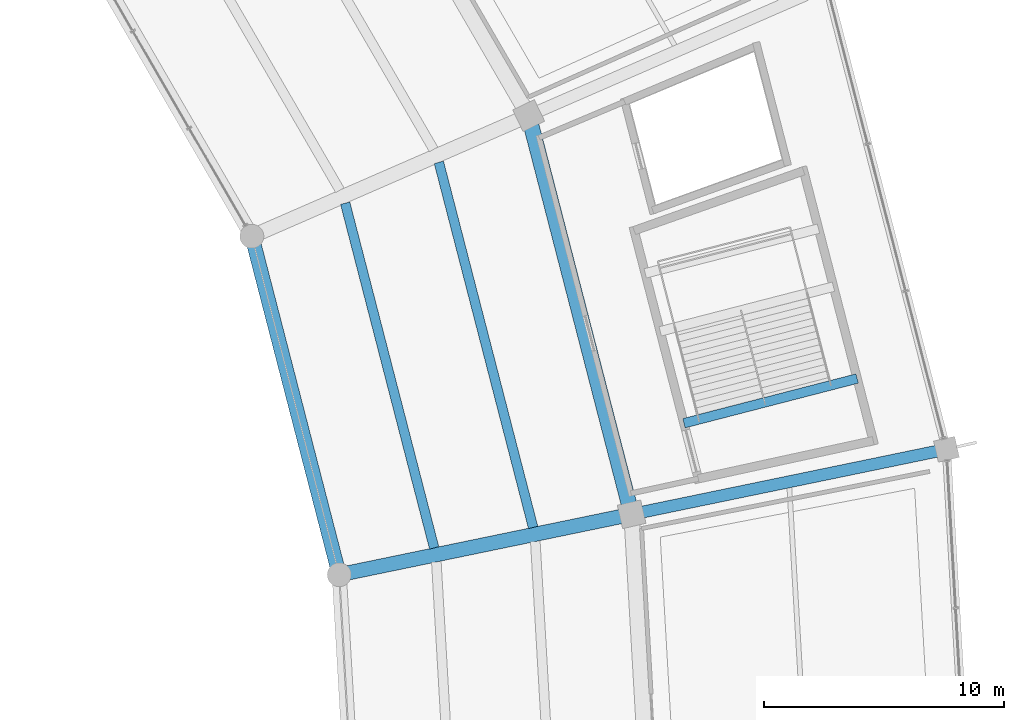
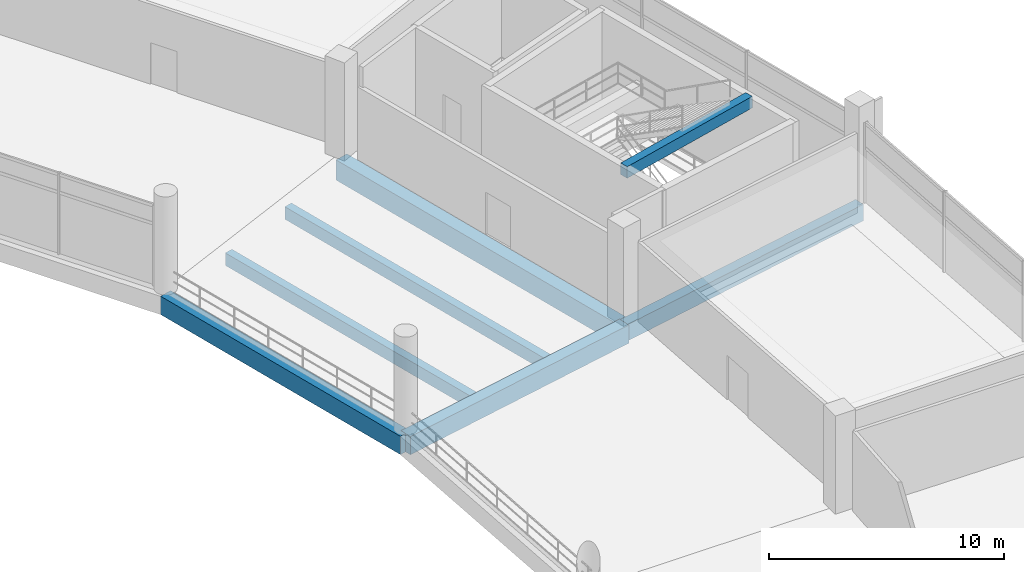
# One storey, part 81 of 184: 7 beams.
"""IFC4 building model written with IfcOpenShell, lengths in metres."""

import ifcopenshell
import ifcopenshell.guid

model = None  # the IFC model being written
_history = None  # IfcOwnerHistory: only IFC2X3 demands one
_inside = {}  # id of a spatial element -> (the spatial element, [elements in it])
_under = {}  # id of a project, library or spatial element -> (it, [spatial elements below it])
_declared = {}  # id of a project -> (the project, [libraries it declares])
_typed = {}  # id of a type object -> (the type object, [elements of that type])
_made_of = {}  # id of a material, layer set ... -> (it, [elements and type objects made of it])


def new_model(schema):
    """Start an empty IFC model of exactly this schema.

    Asked for "IFC4X3", IfcOpenShell would pick the latest addendum, in which some entities
    have other attributes; the version numbers below select the first issue.
    IFC2X3 requires an IfcOwnerHistory on every rooted entity: one is made here for all.
    """
    global model, _history
    if schema == "IFC4X3":
        model = ifcopenshell.file(schema_version=(4, 3, 0, 0))
    else:
        model = ifcopenshell.file(schema=schema)
    _inside.clear()
    _under.clear()
    _declared.clear()
    _typed.clear()
    _made_of.clear()
    _history = None
    if model.schema == "IFC2X3":
        org = make("IfcOrganization", Name="unknown")
        user = make(
            "IfcPersonAndOrganization",
            ThePerson=make("IfcPerson", FamilyName="unknown"),
            TheOrganization=org,
        )
        app = make(
            "IfcApplication",
            ApplicationDeveloper=org,
            Version="unknown",
            ApplicationFullName="unknown",
            ApplicationIdentifier="unknown",
        )
        _history = make(
            "IfcOwnerHistory",
            OwningUser=user,
            OwningApplication=app,
            ChangeAction="ADDED",
            CreationDate=0,
        )
    return model


def make(cls, **values):
    """One entity of the class cls with the attributes given. An attribute that is None is left unset."""
    return model.create_entity(
        cls, **{name: value for name, value in values.items() if value is not None}
    )


def rooted(cls, **values):
    """An entity with a GlobalId (a new one), such as an element, a storey or a relation."""
    return make(cls, GlobalId=ifcopenshell.guid.new(), OwnerHistory=_history, **values)


def si_unit(unit_type, name, prefix=None):
    """IfcSIUnit, for example si_unit("LENGTHUNIT", "METRE", prefix="MILLI")."""
    return make("IfcSIUnit", UnitType=unit_type, Prefix=prefix, Name=name)


def assignment(units):
    """IfcUnitAssignment: the units of a project."""
    return None if units is None else make("IfcUnitAssignment", Units=units)


def point(xyz):
    """IfcCartesianPoint."""
    return None if xyz is None else make("IfcCartesianPoint", Coordinates=xyz)


def direction(xyz):
    """IfcDirection."""
    return None if xyz is None else make("IfcDirection", DirectionRatios=xyz)


def frame(location, z_axis=None, x_axis=None):
    """IfcAxis2Placement3D, a coordinate frame: its origin and axes. An axis left out is left unset."""
    return make(
        "IfcAxis2Placement3D",
        Location=point(location),
        Axis=direction(z_axis),
        RefDirection=direction(x_axis),
    )


def frame_2d(location, x_axis=None):
    """IfcAxis2Placement2D, a coordinate frame in the plane: its origin and x axis."""
    return make(
        "IfcAxis2Placement2D", Location=point(location), RefDirection=direction(x_axis)
    )


def origin():
    """The frame at (0, 0, 0) with its axes left unset."""
    return frame((0.0, 0.0, 0.0))


def origin_2d():
    """The frame at (0, 0) in the plane with its x axis left unset."""
    return frame_2d((0.0, 0.0))


def place(relative_to, where):
    """IfcLocalPlacement: puts the frame where relative to a parent placement (None: the world)."""
    return make(
        "IfcLocalPlacement", PlacementRelTo=relative_to, RelativePlacement=where
    )


def context(
    kind, dimensions, precision=None, world=None, true_north=None, identifier=None
):
    """IfcGeometricRepresentationContext, for example the 3D "Model" context."""
    return make(
        "IfcGeometricRepresentationContext",
        ContextIdentifier=identifier,
        ContextType=kind,
        CoordinateSpaceDimension=dimensions,
        Precision=precision,
        WorldCoordinateSystem=world,
        TrueNorth=true_north,
    )


def subcontext(parent, identifier, kind, view, scale=None):
    """IfcGeometricRepresentationSubContext, for example "Body" below "Model"."""
    return make(
        "IfcGeometricRepresentationSubContext",
        ContextIdentifier=identifier,
        ContextType=kind,
        ParentContext=parent,
        TargetScale=scale,
        TargetView=view,
    )


def project(units=None, contexts=None):
    """IfcProject with its units and contexts."""
    return rooted(
        "IfcProject",
        Name="project",
        RepresentationContexts=contexts,
        UnitsInContext=assignment(units),
    )


def spatial(cls, under=None, at=None, **own):
    """A site, building, storey or space (cls), placed at a placement, below another one or the project."""
    s = rooted(cls, ObjectPlacement=at, **own)
    if under is not None:
        _under.setdefault(under.id(), (under, []))[1].append(s)
    return s


def profile(cls, at=None, kind="AREA", **sizes):
    """A parametric profile (cls). Its sizes go by their IFC names, for example OverallWidth=200.0."""
    return make(cls, ProfileType=kind, Position=at, **sizes)


def rectangle(**sizes):
    """IfcRectangleProfileDef."""
    return profile("IfcRectangleProfileDef", **sizes)


def extrude(swept, where, along, depth):
    """IfcExtrudedAreaSolid: the profile swept, set in the frame where, extruded along a direction by depth."""
    return make(
        "IfcExtrudedAreaSolid",
        SweptArea=swept,
        Position=where,
        ExtrudedDirection=direction(along),
        Depth=depth,
    )


def shape(context_of_items, identifier, shape_type, items):
    """IfcShapeRepresentation: the items that make up one representation, for example the "Body"."""
    return make(
        "IfcShapeRepresentation",
        ContextOfItems=context_of_items,
        RepresentationIdentifier=identifier,
        RepresentationType=shape_type,
        Items=items,
    )


def material(Name=None, Category=None):
    """IfcMaterial."""
    return make("IfcMaterial", Name=Name, Category=Category)


def material_profile(
    of_material, cross_section, Name=None, Category=None, Priority=None
):
    """IfcMaterialProfile: a cross section and its material."""
    return make(
        "IfcMaterialProfile",
        Name=Name,
        Material=of_material,
        Profile=cross_section,
        Priority=Priority,
        Category=Category,
    )


def profile_set(profiles, Name=None, composite=None):
    """IfcMaterialProfileSet."""
    return make(
        "IfcMaterialProfileSet",
        Name=Name,
        MaterialProfiles=profiles,
        CompositeProfile=composite,
    )


def made_of(thing, what):
    """Note that an element or type object is made of a material, layer set ...; save() writes the relation."""
    if what is not None:
        _made_of.setdefault(what.id(), (what, []))[1].append(thing)
    return thing


def type_object(cls, material=None, **own):
    """A type object (cls), such as IfcWallType, which elements share."""
    return made_of(rooted(cls, **own), material)


def element(
    cls,
    number,
    at=None,
    inside=None,
    cuts=None,
    type_object=None,
    material=None,
    context=None,
    identifier="Body",
    shape_type=None,
    held_by="IfcProductDefinitionShape",
    body=None,
    shapes=None,
    **own,
):
    """One element of the class cls, such as IfcWall. Its Tag is "e" and its number.

    at: its placement. inside: the storey or other place that contains it. cuts: it is an
    opening in that element (IfcRelVoidsElement). A single representation is given by context,
    identifier, shape_type and body (its items); several are given by shapes. held_by: the class
    of the entity that holds the representations. save() writes the other relations.
    """
    e = rooted(cls, Tag="e%d" % number, ObjectPlacement=at, **own)
    if body is not None:
        shapes = [shape(context, identifier, shape_type, body)]
    if shapes is not None:
        e.Representation = make(held_by, Representations=shapes)
    if inside is not None:
        _inside.setdefault(inside.id(), (inside, []))[1].append(e)
    if cuts is not None:
        rooted(
            "IfcRelVoidsElement", RelatingBuildingElement=cuts, RelatedOpeningElement=e
        )
    if type_object is not None:
        _typed.setdefault(type_object.id(), (type_object, []))[1].append(e)
    return made_of(e, material)


def aggregate(whole, parts):
    """IfcRelAggregates: a whole, such as a stair, and the parts it consists of."""
    return rooted("IfcRelAggregates", RelatingObject=whole, RelatedObjects=parts)


def save(model, path):
    """Write the relations noted so far, then the file.

    IfcRelAggregates (storeys below a building ...), IfcRelContainedInSpatialStructure (elements
    in a storey), IfcRelDefinesByType, IfcRelAssociatesMaterial and IfcRelDeclares: one each for
    every whole, place, type object, material and project.
    """
    for whole, parts in _under.values():
        aggregate(whole, parts)
    for where, things in _inside.values():
        rooted(
            "IfcRelContainedInSpatialStructure",
            RelatedElements=things,
            RelatingStructure=where,
        )
    for kind, things in _typed.values():
        rooted("IfcRelDefinesByType", RelatedObjects=things, RelatingType=kind)
    for what, things in _made_of.values():
        rooted("IfcRelAssociatesMaterial", RelatedObjects=things, RelatingMaterial=what)
    for by, libraries in _declared.values():
        rooted("IfcRelDeclares", RelatingContext=by, RelatedDefinitions=libraries)
    model.write(path)


model = new_model("IFC4")

# Units and contexts
model_context = context("Model", 3, precision=1e-05, world=origin(), true_north=direction((0.0, 1.0)))
body_context = subcontext(model_context, "Body", "Model", "MODEL_VIEW")
ifc_project = project(units=[si_unit("LENGTHUNIT", "METRE"), si_unit("AREAUNIT", "SQUARE_METRE"), si_unit("VOLUMEUNIT", "CUBIC_METRE"), si_unit("PLANEANGLEUNIT", "RADIAN"), si_unit("MASSUNIT", "GRAM", prefix="KILO")], contexts=[model_context])

# Site, building, storey
site_placement = place(None, origin())
site = spatial("IfcSite", under=ifc_project, at=site_placement, CompositionType="ELEMENT")
building_placement = place(site_placement, origin())
building = spatial("IfcBuilding", under=site, at=building_placement, Name="Kazemori Nagisa Stadium", CompositionType="ELEMENT")
storey_placement = place(building_placement, frame((0.0, 0.0, 10.5400390625)))
storey = spatial("IfcBuildingStorey", under=building, at=storey_placement, Name="L02", CompositionType="ELEMENT", Elevation=10.5400390625)

# Beams
ifc_material = material(Name="Concrete C40/50 (Fc42)", Category="concrete")
ifc_material_profile_1 = material_profile(ifc_material, rectangle(XDim=0.39990234375, YDim=0.60009765625, at=origin_2d()), Name="RC-BM-400x600")
ifc_profile_set_1 = profile_set([ifc_material_profile_1], Name="Concrete C40/50 (Fc42)")
beam_type_1 = type_object("IfcBeamType", Name="Beam_BG-LND400X600", PredefinedType="BEAM", material=ifc_profile_set_1)
beam_1_placement = place(storey_placement, frame((205.920654296875, 122.483154296875, 4.5400390625), z_axis=(0.968252570883, 0.249973916595, 0.0), x_axis=(-0.249973916595, 0.968252570883, 0.0)))
element("IfcBeam", 1, at=beam_1_placement, inside=storey, type_object=beam_type_1, Name="Core stair arrival header girder ST07-L02", PredefinedType="BEAM", context=body_context, shape_type="SweptSolid", body=[
    extrude(rectangle(XDim=0.39990234375, YDim=0.60009765625, at=origin_2d()), origin(), (0.0, 0.0, 1.0), 7.468505859375),
])
ifc_material_profile_2 = material_profile(ifc_material, rectangle(XDim=0.5, YDim=0.85009765625, at=origin_2d()), Name="RC-BM-500x850")
ifc_profile_set_2 = profile_set([ifc_material_profile_2], Name="Concrete C40/50 (Fc42)")
beam_type_2 = type_object("IfcBeamType", Name="Beam_BG-RC500X850", PredefinedType="BEAM", material=ifc_profile_set_2)
beam_2_placement = place(storey_placement, frame((203.737548828125, 118.68212890625, -0.68505859375), z_axis=(0.979315516463, 0.202339119339, 0.0), x_axis=(-0.202339119339, 0.979315516463, 0.0)))
element("IfcBeam", 2, at=beam_2_placement, inside=storey, type_object=beam_type_2, Name="Radial girder BG-RC500X850 L02 R2-R3-02", PredefinedType="BEAM", context=body_context, shape_type="SweptSolid", body=[
    extrude(rectangle(XDim=0.5, YDim=0.85009765625, at=origin_2d()), origin(), (0.0, 0.0, 1.0), 13.4208984375),
])
ifc_material_profile_3 = material_profile(ifc_material, rectangle(XDim=0.60009765625, YDim=0.949951171875, at=origin_2d()), Name="RC-BM-600x950")
ifc_profile_set_3 = profile_set([ifc_material_profile_3], Name="Concrete C40/50 (Fc42)")
beam_type_3 = type_object("IfcBeamType", Name="Beam_BG-RC600X950", PredefinedType="BEAM", material=ifc_profile_set_3)
beam_3_placement = place(storey_placement, frame((191.532958984375, 116.160400390625, -0.735107421875), z_axis=(-0.249966077383, 0.9682545947, 0.0), x_axis=(-0.9682545947, -0.249966077383, 0.0)))
element("IfcBeam", 3, at=beam_3_placement, inside=storey, type_object=beam_type_3, Name="Ring girder BG-RC600X950 L02 R1-02", PredefinedType="BEAM", context=body_context, shape_type="SweptSolid", body=[
    extrude(rectangle(XDim=0.60009765625, YDim=0.949951171875, at=origin_2d()), origin(), (0.0, 0.0, 1.0), 14.58984375),
])
beam_4_placement = place(storey_placement, frame((191.532958984375, 116.160400390625, -0.735107421875), z_axis=(0.979313861938, 0.202347127025, 0.0), x_axis=(-0.202347127025, 0.979313861938, 0.0)))
element("IfcBeam", 4, at=beam_4_placement, inside=storey, type_object=beam_type_3, Name="Radial girder BG-RC600X950 L02 R1-R2-02", PredefinedType="BEAM", context=body_context, shape_type="SweptSolid", body=[
    extrude(rectangle(XDim=0.60009765625, YDim=0.949951171875, at=origin_2d()), origin(), (0.0, 0.0, 1.0), 12.46240234375),
])
ifc_material_profile_4 = material_profile(ifc_material, rectangle(XDim=0.64990234375, YDim=1.050048828125, at=origin_2d()), Name="RC-BM-650x1050")
ifc_profile_set_4 = profile_set([ifc_material_profile_4], Name="Concrete C40/50 (Fc42)")
beam_type_4 = type_object("IfcBeamType", Name="Beam_BG-RC650X1050", PredefinedType="BEAM", material=ifc_profile_set_4)
beam_5_placement = place(storey_placement, frame((203.737548828125, 118.68212890625, -0.78515625), z_axis=(-0.249974673676, 0.968252375427, 0.0), x_axis=(-0.968252375427, -0.249974673676, 0.0)))
element("IfcBeam", 5, at=beam_5_placement, inside=storey, type_object=beam_type_4, Name="Ring girder BG-RC650X1050 L02 R2-02", PredefinedType="BEAM", context=body_context, shape_type="SweptSolid", body=[
    extrude(rectangle(XDim=0.64990234375, YDim=1.050048828125, at=origin_2d()), origin(), (0.0, 0.0, 1.0), 17.188232421875),
])
ifc_material_profile_5 = material_profile(ifc_material, rectangle(XDim=0.39990234375, YDim=0.64990234375, at=origin_2d()), Name="RC-BM-400x650")
ifc_profile_set_5 = profile_set([ifc_material_profile_5], Name="Concrete C40/50 (Fc42)")
beam_type_5 = type_object("IfcBeamType", Name="Beam_BJ-RC400X650", PredefinedType="JOIST", material=ifc_profile_set_5)
beam_6_placement = place(storey_placement, frame((195.49609375, 117.280029296875, -0.5849609375), z_axis=(-0.24996646764, 0.968254493951, 0.0), x_axis=(-0.968254493951, -0.24996646764, 0.0)))
element("IfcBeam", 6, at=beam_6_placement, inside=storey, type_object=beam_type_5, Name="Concourse joist BJ-RC400X650 L02 B02-1", PredefinedType="JOIST", context=body_context, shape_type="SweptSolid", body=[
    extrude(rectangle(XDim=0.39990234375, YDim=0.64990234375, at=origin_2d()), origin(), (0.0, 0.0, 1.0), 14.859375),
])
beam_7_placement = place(storey_placement, frame((199.626953125, 118.133544921875, -0.5849609375), z_axis=(-0.24997419154, 0.968252499901, 0.0), x_axis=(-0.968252499901, -0.24997419154, 0.0)))
element("IfcBeam", 7, at=beam_7_placement, inside=storey, type_object=beam_type_5, Name="Concourse joist BJ-RC400X650 L02 B02-2", PredefinedType="JOIST", context=body_context, shape_type="SweptSolid", body=[
    extrude(rectangle(XDim=0.39990234375, YDim=0.64990234375, at=origin_2d()), origin(), (0.0, 0.0, 1.0), 15.739013671875),
])

save(model, "model.ifc")
